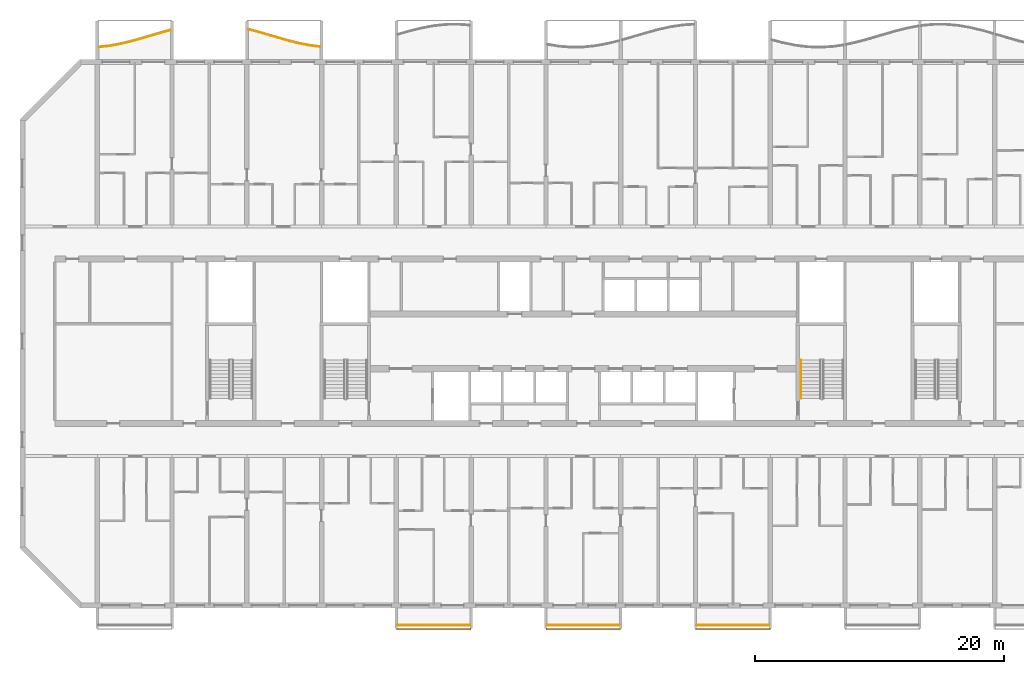
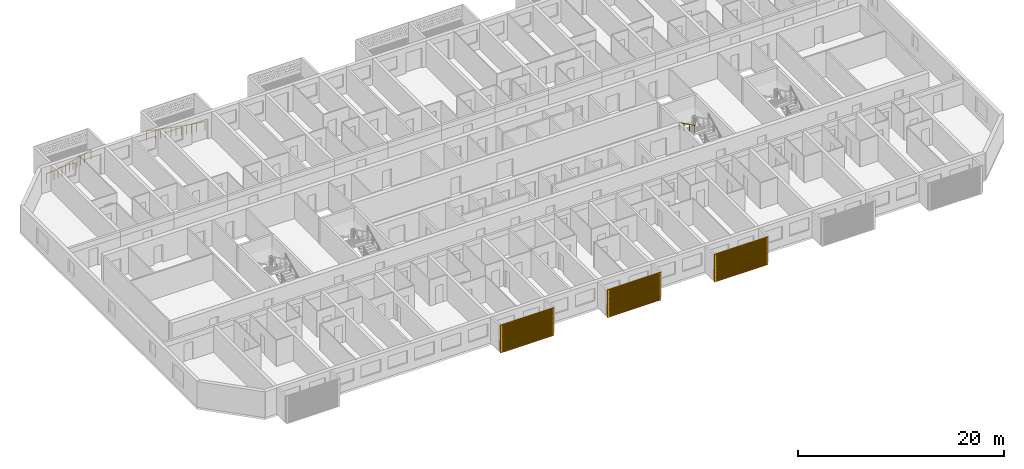
# One storey, part 18 of 27: 6 railings, 3 shading devices.
"""IFC4 building model written with IfcOpenShell, lengths in metres."""

from ifc_helpers import new_model, si_unit, direction, frame, origin, origin_2d, place, context, subcontext, project, spatial, polyline, circle, outline, extrude, source, transform, mapped, material, material_profile, profile_set, type_object, element, save


model = new_model("IFC4")

# Units and contexts
model_context = context("Model", 3, precision=1e-05, world=origin(), true_north=direction((0.0, 1.0)))
body_context = subcontext(model_context, "Body", "Model", "MODEL_VIEW")
ifc_project = project(units=[si_unit("LENGTHUNIT", "METRE"), si_unit("AREAUNIT", "SQUARE_METRE"), si_unit("VOLUMEUNIT", "CUBIC_METRE"), si_unit("PLANEANGLEUNIT", "RADIAN"), si_unit("MASSUNIT", "GRAM", prefix="KILO")], contexts=[model_context])

# Site, building, storey
site_placement = place(None, origin())
site = spatial("IfcSite", under=ifc_project, at=site_placement, CompositionType="ELEMENT")
building_placement = place(site_placement, origin())
building = spatial("IfcBuilding", under=site, at=building_placement, Name="Poui Terraces", CompositionType="ELEMENT")
storey_placement = place(building_placement, frame((0.0, 0.0, 92.699951171875)))
storey = spatial("IfcBuildingStorey", under=building, at=storey_placement, Name="L25", CompositionType="ELEMENT", Elevation=92.699951171875)

# Railings
ifc_material_1 = material(Name="Painted steel fretwork", Category="steel")
railing_type_1 = type_object("IfcRailingType", Name="BALCONY GUARD 1100", PredefinedType="GUARDRAIL", material=ifc_material_1)
railing_1_placement = place(storey_placement, frame((12.125, 44.796875, 0.0)))
element("IfcRailing", 1, at=railing_1_placement, inside=storey, type_object=railing_type_1, Name="BALCONY GUARD", PredefinedType="GUARDRAIL", context=body_context, shape_type="SweptSolid", body=[
    extrude(circle(Radius=0.02392578125, at=origin_2d()), frame((0.0, 0.0, 1.076171875), z_axis=(0.993920879966, 0.110096704617, 0.0), x_axis=(-0.110096704617, 0.993920879966, 0.0)), (0.0, 0.0, 1.0), 0.88037109375),
    extrude(circle(Radius=0.02392578125, at=origin_2d()), frame((0.875, 0.096923828125, 1.076171875), z_axis=(0.982828697247, 0.184520329146, 0.0), x_axis=(-0.184520329146, 0.982828697247, 0.0)), (0.0, 0.0, 1.0), 1.017578125),
    extrude(circle(Radius=0.02392578125, at=origin_2d()), frame((1.875, 0.28466796875, 1.076171875), z_axis=(0.969919223088, 0.243426992513, 0.0), x_axis=(-0.243426992513, 0.969919223088, 0.0)), (0.0, 0.0, 1.0), 1.031005859375),
    extrude(circle(Radius=0.02392578125, at=origin_2d()), frame((2.875, 0.53564453125, 1.076171875), z_axis=(0.960919647927, 0.276827437635, 0.0), x_axis=(-0.276827437635, 0.960919647927, 0.0)), (0.0, 0.0, 1.0), 1.040771484375),
    extrude(circle(Radius=0.02392578125, at=origin_2d()), frame((3.875, 0.82373046875, 1.076171875), z_axis=(0.958901964879, 0.283737593123, 0.0), x_axis=(-0.283737593123, 0.958901964879, 0.0)), (0.0, 0.0, 1.0), 1.04296875),
    extrude(circle(Radius=0.02392578125, at=origin_2d()), frame((4.875, 1.11962890625, 1.076171875), z_axis=(0.964109044375, 0.265506592299, 0.0), x_axis=(-0.265506592299, 0.964109044375, 0.0)), (0.0, 0.0, 1.0), 0.907470703125),
    extrude(circle(Radius=0.02099609375, at=origin_2d()), origin(), (0.0, 0.0, 1.0), 1.052001953125),
    extrude(circle(Radius=0.02099609375, at=origin_2d()), frame((0.875, 0.096923828125, 0.0)), (0.0, 0.0, 1.0), 1.052001953125),
    extrude(circle(Radius=0.02099609375, at=origin_2d()), frame((1.375, 0.19091796875, 0.0)), (0.0, 0.0, 1.0), 1.052001953125),
    extrude(circle(Radius=0.02099609375, at=origin_2d()), frame((1.875, 0.28466796875, 0.0)), (0.0, 0.0, 1.0), 1.052001953125),
    extrude(circle(Radius=0.02099609375, at=origin_2d()), frame((2.375, 0.41015625, 0.0)), (0.0, 0.0, 1.0), 1.052001953125),
    extrude(circle(Radius=0.02099609375, at=origin_2d()), frame((2.875, 0.53564453125, 0.0)), (0.0, 0.0, 1.0), 1.052001953125),
    extrude(circle(Radius=0.02099609375, at=origin_2d()), frame((3.375, 0.6796875, 0.0)), (0.0, 0.0, 1.0), 1.052001953125),
    extrude(circle(Radius=0.02099609375, at=origin_2d()), frame((3.875, 0.82373046875, 0.0)), (0.0, 0.0, 1.0), 1.052001953125),
    extrude(circle(Radius=0.02099609375, at=origin_2d()), frame((4.375, 0.9716796875, 0.0)), (0.0, 0.0, 1.0), 1.052001953125),
    extrude(circle(Radius=0.02099609375, at=origin_2d()), frame((4.875, 1.11962890625, 0.0)), (0.0, 0.0, 1.0), 1.052001953125),
    extrude(circle(Radius=0.02099609375, at=origin_2d()), frame((5.75, 1.360595703125, 0.0)), (0.0, 0.0, 1.0), 1.052001953125),
])
railing_2_placement = place(storey_placement, frame((24.125, 46.220458984375, 0.0)))
element("IfcRailing", 2, at=railing_2_placement, inside=storey, type_object=railing_type_1, Name="BALCONY GUARD", PredefinedType="GUARDRAIL", context=body_context, shape_type="SweptSolid", body=[
    extrude(circle(Radius=0.02392578125, at=origin_2d()), frame((0.0, 0.0, 1.076171875), z_axis=(0.966418189442, -0.256974479503, 0.0), x_axis=(0.256974479503, 0.966418189442, 0.0)), (0.0, 0.0, 1.0), 0.905517578125),
    extrude(circle(Radius=0.02392578125, at=origin_2d()), frame((0.875, -0.232666015625, 1.076171875), z_axis=(0.959726621702, -0.280935600444, 0.0), x_axis=(0.280935600444, 0.959726621702, 0.0)), (0.0, 0.0, 1.0), 1.0419921875),
    extrude(circle(Radius=0.02392578125, at=origin_2d()), frame((1.875, -0.525390625, 1.076171875), z_axis=(0.959663427085, -0.281151394654, 0.0), x_axis=(0.281151394654, 0.959663427085, 0.0)), (0.0, 0.0, 1.0), 1.0419921875),
    extrude(circle(Radius=0.02392578125, at=origin_2d()), frame((2.875, -0.818359375, 1.076171875), z_axis=(0.967184558731, -0.254074849901, 0.0), x_axis=(0.254074849901, 0.967184558731, 0.0)), (0.0, 0.0, 1.0), 1.033935546875),
    extrude(circle(Radius=0.02392578125, at=origin_2d()), frame((3.875, -1.0810546875, 1.076171875), z_axis=(0.979470932223, -0.201585448209, 0.0), x_axis=(0.201585448209, 0.979470932223, 0.0)), (0.0, 0.0, 1.0), 1.02099609375),
    extrude(circle(Radius=0.02392578125, at=origin_2d()), frame((4.875, -1.286865234375, 1.076171875), z_axis=(0.991331470199, -0.131384611703, 0.0), x_axis=(0.131384611703, 0.991331470199, 0.0)), (0.0, 0.0, 1.0), 0.882568359375),
    extrude(circle(Radius=0.02099609375, at=origin_2d()), origin(), (0.0, 0.0, 1.0), 1.052001953125),
    extrude(circle(Radius=0.02099609375, at=origin_2d()), frame((0.875, -0.232666015625, 0.0)), (0.0, 0.0, 1.0), 1.052001953125),
    extrude(circle(Radius=0.02099609375, at=origin_2d()), frame((1.375, -0.37890625, 0.0)), (0.0, 0.0, 1.0), 1.052001953125),
    extrude(circle(Radius=0.02099609375, at=origin_2d()), frame((1.875, -0.525390625, 0.0)), (0.0, 0.0, 1.0), 1.052001953125),
    extrude(circle(Radius=0.02099609375, at=origin_2d()), frame((2.375, -0.671875, 0.0)), (0.0, 0.0, 1.0), 1.052001953125),
    extrude(circle(Radius=0.02099609375, at=origin_2d()), frame((2.875, -0.818359375, 0.0)), (0.0, 0.0, 1.0), 1.052001953125),
    extrude(circle(Radius=0.02099609375, at=origin_2d()), frame((3.375, -0.94970703125, 0.0)), (0.0, 0.0, 1.0), 1.052001953125),
    extrude(circle(Radius=0.02099609375, at=origin_2d()), frame((3.875, -1.0810546875, 0.0)), (0.0, 0.0, 1.0), 1.052001953125),
    extrude(circle(Radius=0.02099609375, at=origin_2d()), frame((4.375, -1.18408203125, 0.0)), (0.0, 0.0, 1.0), 1.052001953125),
    extrude(circle(Radius=0.02099609375, at=origin_2d()), frame((4.875, -1.286865234375, 0.0)), (0.0, 0.0, 1.0), 1.052001953125),
    extrude(circle(Radius=0.02099609375, at=origin_2d()), frame((5.75, -1.40283203125, 0.0)), (0.0, 0.0, 1.0), 1.052001953125),
])
for number, where, name in (
    (3, (36.10009765625, -1.570068359375, 0.0), "BALCONY GUARD"),
    (4, (48.10009765625, -1.570068359375, 0.0), "BALCONY GUARD"),
    (5, (60.10009765625, -1.570068359375, 0.0), "BALCONY GUARD"),
):
    element("IfcRailing", number, at=place(storey_placement, frame(where)), inside=storey, type_object=railing_type_1, Name=name, PredefinedType="GUARDRAIL", context=body_context, shape_type="SweptSolid", body=[
        extrude(circle(Radius=0.02392578125, at=origin_2d()), frame((0.0, 0.0, 1.076171875), z_axis=(1.0, 0.0, 0.0), x_axis=(0.0, 1.0, 0.0)), (0.0, 0.0, 1.0), 5.7998046875),
        extrude(circle(Radius=0.02099609375, at=origin_2d()), origin(), (0.0, 0.0, 1.0), 1.052001953125),
        extrude(circle(Radius=0.02099609375, at=origin_2d()), frame((0.966552734375, 0.0, 0.0)), (0.0, 0.0, 1.0), 1.052001953125),
        extrude(circle(Radius=0.02099609375, at=origin_2d()), frame((1.933349609375, 0.0, 0.0)), (0.0, 0.0, 1.0), 1.052001953125),
        extrude(circle(Radius=0.02099609375, at=origin_2d()), frame((2.89990234375, 0.0, 0.0)), (0.0, 0.0, 1.0), 1.052001953125),
        extrude(circle(Radius=0.02099609375, at=origin_2d()), frame((3.866455078125, 0.0, 0.0)), (0.0, 0.0, 1.0), 1.052001953125),
        extrude(circle(Radius=0.02099609375, at=origin_2d()), frame((4.833251953125, 0.0, 0.0)), (0.0, 0.0, 1.0), 1.052001953125),
        extrude(circle(Radius=0.02099609375, at=origin_2d()), frame((5.7998046875, 0.0, 0.0)), (0.0, 0.0, 1.0), 1.052001953125),
    ])
ifc_material_2 = material(Name="Stainless steel handrail", Category="steel")
railing_type_2 = type_object("IfcRailingType", Name="STAIR HANDRAIL 900", PredefinedType="HANDRAIL", material=ifc_material_2)
railing_3_placement = place(storey_placement, frame((68.47509765625, 19.679931640625, 1.78759765625)))
element("IfcRailing", 6, at=railing_3_placement, inside=storey, type_object=railing_type_2, Name="L25 ST-CE stair handrail 2", PredefinedType="HANDRAIL", context=body_context, shape_type="SweptSolid", body=[
    extrude(circle(Radius=0.02392578125, at=origin_2d()), frame((0.0, 0.0, 0.8759765625), z_axis=(0.0, -0.897606190399, 0.440798283751), x_axis=(1.0, 0.0, 0.0)), (0.0, 0.0, 1.0), 3.43115234375),
    extrude(circle(Radius=0.02099609375, at=origin_2d()), origin(), (0.0, 0.0, 1.0), 0.851806640625),
    extrude(circle(Radius=0.02099609375, at=origin_2d()), frame((0.0, -1.026611328125, 0.504150390625)), (0.0, 0.0, 1.0), 0.851806640625),
    extrude(circle(Radius=0.02099609375, at=origin_2d()), frame((0.0, -2.05322265625, 1.00830078125)), (0.0, 0.0, 1.0), 0.851806640625),
    extrude(circle(Radius=0.02099609375, at=origin_2d()), frame((0.0, -3.079833984375, 1.512451171875)), (0.0, 0.0, 1.0), 0.851806640625),
])

# Shading devices
ifc_material_3 = material(Name="Aluminium louvre", Category="aluminium")
ifc_material_profile = material_profile(ifc_material_3, outline(polyline([(-3.0, -1.64990234375), (3.0, -1.64990234375), (3.0, 1.64990234375), (-3.0, 1.64990234375), (-3.0, -1.64990234375)]), holes=[polyline([(-2.800048828125, -1.530029296875), (2.800048828125, -1.530029296875), (2.800048828125, -1.469970703125), (-2.800048828125, -1.469970703125), (-2.800048828125, -1.530029296875)]), polyline([(-2.800048828125, -1.429931640625), (2.800048828125, -1.429931640625), (2.800048828125, -1.3701171875), (-2.800048828125, -1.3701171875), (-2.800048828125, -1.429931640625)]), polyline([(-2.800048828125, -1.330078125), (2.800048828125, -1.330078125), (2.800048828125, -1.27001953125), (-2.800048828125, -1.27001953125), (-2.800048828125, -1.330078125)]), polyline([(-2.800048828125, -1.22998046875), (2.800048828125, -1.22998046875), (2.800048828125, -1.169921875), (-2.800048828125, -1.169921875), (-2.800048828125, -1.22998046875)]), polyline([(-2.800048828125, -1.1298828125), (2.800048828125, -1.1298828125), (2.800048828125, -1.070068359375), (-2.800048828125, -1.070068359375), (-2.800048828125, -1.1298828125)]), polyline([(-2.800048828125, -1.030029296875), (2.800048828125, -1.030029296875), (2.800048828125, -0.969970703125), (-2.800048828125, -0.969970703125), (-2.800048828125, -1.030029296875)]), polyline([(-2.800048828125, -0.929931640625), (2.800048828125, -0.929931640625), (2.800048828125, -0.8701171875), (-2.800048828125, -0.8701171875), (-2.800048828125, -0.929931640625)]), polyline([(-2.800048828125, -0.830078125), (2.800048828125, -0.830078125), (2.800048828125, -0.77001953125), (-2.800048828125, -0.77001953125), (-2.800048828125, -0.830078125)]), polyline([(-2.800048828125, -0.72998046875), (2.800048828125, -0.72998046875), (2.800048828125, -0.669921875), (-2.800048828125, -0.669921875), (-2.800048828125, -0.72998046875)]), polyline([(-2.800048828125, -0.6298828125), (2.800048828125, -0.6298828125), (2.800048828125, -0.570068359375), (-2.800048828125, -0.570068359375), (-2.800048828125, -0.6298828125)]), polyline([(-2.800048828125, -0.530029296875), (2.800048828125, -0.530029296875), (2.800048828125, -0.469970703125), (-2.800048828125, -0.469970703125), (-2.800048828125, -0.530029296875)]), polyline([(-2.800048828125, -0.429931640625), (2.800048828125, -0.429931640625), (2.800048828125, -0.3701171875), (-2.800048828125, -0.3701171875), (-2.800048828125, -0.429931640625)]), polyline([(-2.800048828125, -0.330078125), (2.800048828125, -0.330078125), (2.800048828125, -0.27001953125), (-2.800048828125, -0.27001953125), (-2.800048828125, -0.330078125)]), polyline([(-2.800048828125, -0.22998046875), (2.800048828125, -0.22998046875), (2.800048828125, -0.169921875), (-2.800048828125, -0.169921875), (-2.800048828125, -0.22998046875)]), polyline([(-2.800048828125, -0.1298828125), (2.800048828125, -0.1298828125), (2.800048828125, -0.070068359375), (-2.800048828125, -0.070068359375), (-2.800048828125, -0.1298828125)]), polyline([(-2.800048828125, -0.030029296875), (2.800048828125, -0.030029296875), (2.800048828125, 0.030029296875), (-2.800048828125, 0.030029296875), (-2.800048828125, -0.030029296875)]), polyline([(-2.800048828125, 0.070068359375), (2.800048828125, 0.070068359375), (2.800048828125, 0.1298828125), (-2.800048828125, 0.1298828125), (-2.800048828125, 0.070068359375)]), polyline([(-2.800048828125, 0.169921875), (2.800048828125, 0.169921875), (2.800048828125, 0.22998046875), (-2.800048828125, 0.22998046875), (-2.800048828125, 0.169921875)]), polyline([(-2.800048828125, 0.27001953125), (2.800048828125, 0.27001953125), (2.800048828125, 0.330078125), (-2.800048828125, 0.330078125), (-2.800048828125, 0.27001953125)]), polyline([(-2.800048828125, 0.3701171875), (2.800048828125, 0.3701171875), (2.800048828125, 0.429931640625), (-2.800048828125, 0.429931640625), (-2.800048828125, 0.3701171875)]), polyline([(-2.800048828125, 0.469970703125), (2.800048828125, 0.469970703125), (2.800048828125, 0.530029296875), (-2.800048828125, 0.530029296875), (-2.800048828125, 0.469970703125)]), polyline([(-2.800048828125, 0.570068359375), (2.800048828125, 0.570068359375), (2.800048828125, 0.6298828125), (-2.800048828125, 0.6298828125), (-2.800048828125, 0.570068359375)]), polyline([(-2.800048828125, 0.669921875), (2.800048828125, 0.669921875), (2.800048828125, 0.72998046875), (-2.800048828125, 0.72998046875), (-2.800048828125, 0.669921875)]), polyline([(-2.800048828125, 0.77001953125), (2.800048828125, 0.77001953125), (2.800048828125, 0.830078125), (-2.800048828125, 0.830078125), (-2.800048828125, 0.77001953125)]), polyline([(-2.800048828125, 0.8701171875), (2.800048828125, 0.8701171875), (2.800048828125, 0.929931640625), (-2.800048828125, 0.929931640625), (-2.800048828125, 0.8701171875)]), polyline([(-2.800048828125, 0.969970703125), (2.800048828125, 0.969970703125), (2.800048828125, 1.030029296875), (-2.800048828125, 1.030029296875), (-2.800048828125, 0.969970703125)]), polyline([(-2.800048828125, 1.070068359375), (2.800048828125, 1.070068359375), (2.800048828125, 1.1298828125), (-2.800048828125, 1.1298828125), (-2.800048828125, 1.070068359375)]), polyline([(-2.800048828125, 1.169921875), (2.800048828125, 1.169921875), (2.800048828125, 1.22998046875), (-2.800048828125, 1.22998046875), (-2.800048828125, 1.169921875)]), polyline([(-2.800048828125, 1.27001953125), (2.800048828125, 1.27001953125), (2.800048828125, 1.330078125), (-2.800048828125, 1.330078125), (-2.800048828125, 1.27001953125)]), polyline([(-2.800048828125, 1.3701171875), (2.800048828125, 1.3701171875), (2.800048828125, 1.429931640625), (-2.800048828125, 1.429931640625), (-2.800048828125, 1.3701171875)]), polyline([(-2.800048828125, 1.469970703125), (2.800048828125, 1.469970703125), (2.800048828125, 1.530029296875), (-2.800048828125, 1.530029296875), (-2.800048828125, 1.469970703125)])]), Name="JALOUSIE LOUVRE SHUTTER 6000X3300")
ifc_profile_set = profile_set([ifc_material_profile], Name="Aluminium louvre")
shading_device_type = type_object("IfcShadingDeviceType", Name="JALOUSIE LOUVRE SHUTTER 6000X3300", PredefinedType="JALOUSIE", material=ifc_profile_set)
shared_shape = source(origin(), body_context, "Body", "SweptSolid", [
    extrude(outline(polyline([(-3.0, -1.64990234375), (3.0, -1.64990234375), (3.0, 1.64990234375), (-3.0, 1.64990234375), (-3.0, -1.64990234375)]), holes=[polyline([(-2.800048828125, -1.530029296875), (2.800048828125, -1.530029296875), (2.800048828125, -1.469970703125), (-2.800048828125, -1.469970703125), (-2.800048828125, -1.530029296875)]), polyline([(-2.800048828125, -1.429931640625), (2.800048828125, -1.429931640625), (2.800048828125, -1.3701171875), (-2.800048828125, -1.3701171875), (-2.800048828125, -1.429931640625)]), polyline([(-2.800048828125, -1.330078125), (2.800048828125, -1.330078125), (2.800048828125, -1.27001953125), (-2.800048828125, -1.27001953125), (-2.800048828125, -1.330078125)]), polyline([(-2.800048828125, -1.22998046875), (2.800048828125, -1.22998046875), (2.800048828125, -1.169921875), (-2.800048828125, -1.169921875), (-2.800048828125, -1.22998046875)]), polyline([(-2.800048828125, -1.1298828125), (2.800048828125, -1.1298828125), (2.800048828125, -1.070068359375), (-2.800048828125, -1.070068359375), (-2.800048828125, -1.1298828125)]), polyline([(-2.800048828125, -1.030029296875), (2.800048828125, -1.030029296875), (2.800048828125, -0.969970703125), (-2.800048828125, -0.969970703125), (-2.800048828125, -1.030029296875)]), polyline([(-2.800048828125, -0.929931640625), (2.800048828125, -0.929931640625), (2.800048828125, -0.8701171875), (-2.800048828125, -0.8701171875), (-2.800048828125, -0.929931640625)]), polyline([(-2.800048828125, -0.830078125), (2.800048828125, -0.830078125), (2.800048828125, -0.77001953125), (-2.800048828125, -0.77001953125), (-2.800048828125, -0.830078125)]), polyline([(-2.800048828125, -0.72998046875), (2.800048828125, -0.72998046875), (2.800048828125, -0.669921875), (-2.800048828125, -0.669921875), (-2.800048828125, -0.72998046875)]), polyline([(-2.800048828125, -0.6298828125), (2.800048828125, -0.6298828125), (2.800048828125, -0.570068359375), (-2.800048828125, -0.570068359375), (-2.800048828125, -0.6298828125)]), polyline([(-2.800048828125, -0.530029296875), (2.800048828125, -0.530029296875), (2.800048828125, -0.469970703125), (-2.800048828125, -0.469970703125), (-2.800048828125, -0.530029296875)]), polyline([(-2.800048828125, -0.429931640625), (2.800048828125, -0.429931640625), (2.800048828125, -0.3701171875), (-2.800048828125, -0.3701171875), (-2.800048828125, -0.429931640625)]), polyline([(-2.800048828125, -0.330078125), (2.800048828125, -0.330078125), (2.800048828125, -0.27001953125), (-2.800048828125, -0.27001953125), (-2.800048828125, -0.330078125)]), polyline([(-2.800048828125, -0.22998046875), (2.800048828125, -0.22998046875), (2.800048828125, -0.169921875), (-2.800048828125, -0.169921875), (-2.800048828125, -0.22998046875)]), polyline([(-2.800048828125, -0.1298828125), (2.800048828125, -0.1298828125), (2.800048828125, -0.070068359375), (-2.800048828125, -0.070068359375), (-2.800048828125, -0.1298828125)]), polyline([(-2.800048828125, -0.030029296875), (2.800048828125, -0.030029296875), (2.800048828125, 0.030029296875), (-2.800048828125, 0.030029296875), (-2.800048828125, -0.030029296875)]), polyline([(-2.800048828125, 0.070068359375), (2.800048828125, 0.070068359375), (2.800048828125, 0.1298828125), (-2.800048828125, 0.1298828125), (-2.800048828125, 0.070068359375)]), polyline([(-2.800048828125, 0.169921875), (2.800048828125, 0.169921875), (2.800048828125, 0.22998046875), (-2.800048828125, 0.22998046875), (-2.800048828125, 0.169921875)]), polyline([(-2.800048828125, 0.27001953125), (2.800048828125, 0.27001953125), (2.800048828125, 0.330078125), (-2.800048828125, 0.330078125), (-2.800048828125, 0.27001953125)]), polyline([(-2.800048828125, 0.3701171875), (2.800048828125, 0.3701171875), (2.800048828125, 0.429931640625), (-2.800048828125, 0.429931640625), (-2.800048828125, 0.3701171875)]), polyline([(-2.800048828125, 0.469970703125), (2.800048828125, 0.469970703125), (2.800048828125, 0.530029296875), (-2.800048828125, 0.530029296875), (-2.800048828125, 0.469970703125)]), polyline([(-2.800048828125, 0.570068359375), (2.800048828125, 0.570068359375), (2.800048828125, 0.6298828125), (-2.800048828125, 0.6298828125), (-2.800048828125, 0.570068359375)]), polyline([(-2.800048828125, 0.669921875), (2.800048828125, 0.669921875), (2.800048828125, 0.72998046875), (-2.800048828125, 0.72998046875), (-2.800048828125, 0.669921875)]), polyline([(-2.800048828125, 0.77001953125), (2.800048828125, 0.77001953125), (2.800048828125, 0.830078125), (-2.800048828125, 0.830078125), (-2.800048828125, 0.77001953125)]), polyline([(-2.800048828125, 0.8701171875), (2.800048828125, 0.8701171875), (2.800048828125, 0.929931640625), (-2.800048828125, 0.929931640625), (-2.800048828125, 0.8701171875)]), polyline([(-2.800048828125, 0.969970703125), (2.800048828125, 0.969970703125), (2.800048828125, 1.030029296875), (-2.800048828125, 1.030029296875), (-2.800048828125, 0.969970703125)]), polyline([(-2.800048828125, 1.070068359375), (2.800048828125, 1.070068359375), (2.800048828125, 1.1298828125), (-2.800048828125, 1.1298828125), (-2.800048828125, 1.070068359375)]), polyline([(-2.800048828125, 1.169921875), (2.800048828125, 1.169921875), (2.800048828125, 1.22998046875), (-2.800048828125, 1.22998046875), (-2.800048828125, 1.169921875)]), polyline([(-2.800048828125, 1.27001953125), (2.800048828125, 1.27001953125), (2.800048828125, 1.330078125), (-2.800048828125, 1.330078125), (-2.800048828125, 1.27001953125)]), polyline([(-2.800048828125, 1.3701171875), (2.800048828125, 1.3701171875), (2.800048828125, 1.429931640625), (-2.800048828125, 1.429931640625), (-2.800048828125, 1.3701171875)]), polyline([(-2.800048828125, 1.469970703125), (2.800048828125, 1.469970703125), (2.800048828125, 1.530029296875), (-2.800048828125, 1.530029296875), (-2.800048828125, 1.469970703125)])]), origin(), (0.0, 0.0, 1.0), 0.099853515625),
])
for number, where, z_axis, x_axis, name in (
    (7, (39.0, -1.85009765625, 1.449951171875), (0.0, -1.0, 0.0), (1.0, 0.0, 0.0), "JALOUSIE LOUVRE SHUTTER"),
    (8, (51.0, -1.85009765625, 1.449951171875), (0.0, -1.0, 0.0), (1.0, 0.0, 0.0), "JALOUSIE LOUVRE SHUTTER"),
    (9, (63.0, -1.85009765625, 1.449951171875), (0.0, -1.0, 0.0), (1.0, 0.0, 0.0), "JALOUSIE LOUVRE SHUTTER"),
):
    element("IfcShadingDevice", number, at=place(storey_placement, frame(where, z_axis=z_axis, x_axis=x_axis)), inside=storey, type_object=shading_device_type, Name=name, PredefinedType="JALOUSIE", context=body_context, shape_type="MappedRepresentation", body=[
        mapped(shared_shape, transform((0.0, 0.0, 0.0))),
    ])

save(model, "model.ifc")
